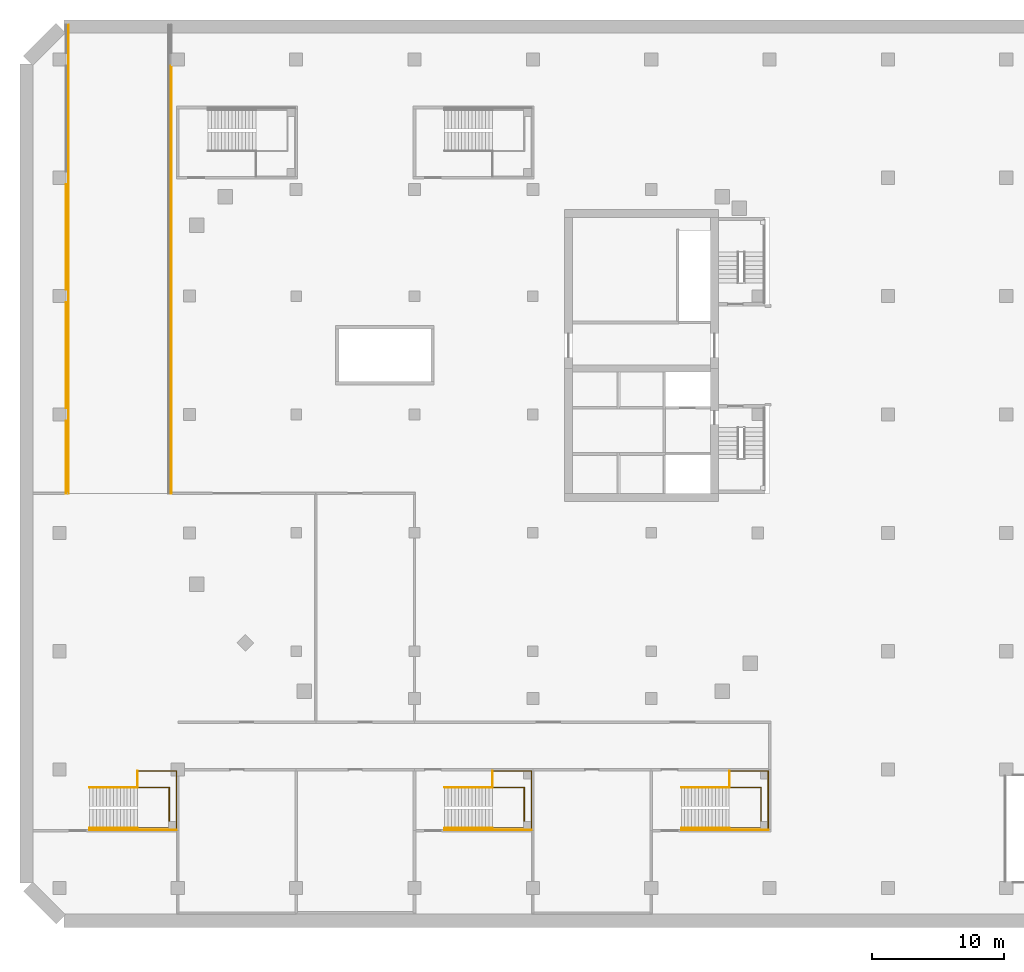
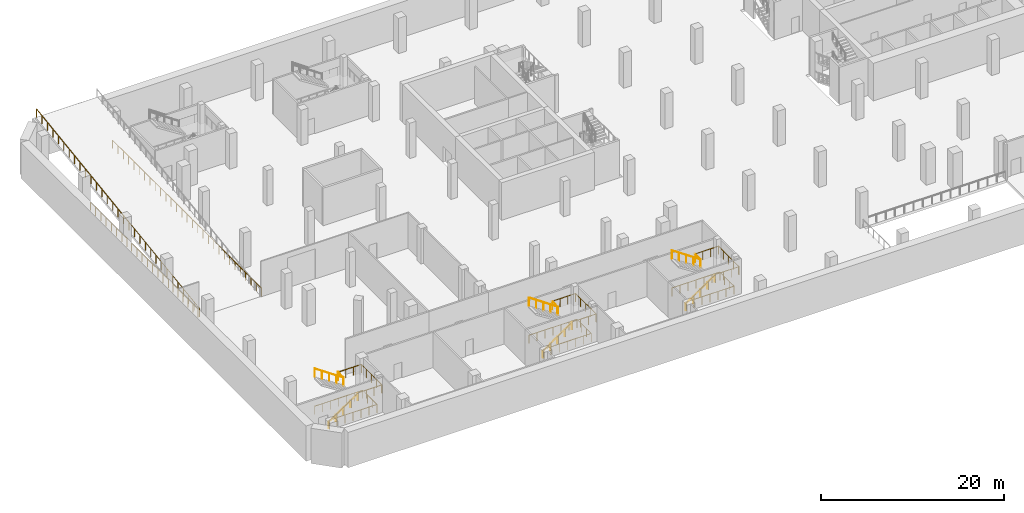
# One storey, part 13 of 19: 23 railings.
"""IFC4 building model written with IfcOpenShell, lengths in metres."""

from ifc_helpers import new_model, si_unit, direction, frame, origin, origin_2d, place, context, subcontext, project, spatial, circle, extrude, material, type_object, element, save


model = new_model("IFC4")

# Units and contexts
model_context = context("Model", 3, precision=1e-05, world=origin(), true_north=direction((0.0, 1.0)))
body_context = subcontext(model_context, "Body", "Model", "MODEL_VIEW")
ifc_project = project(units=[si_unit("LENGTHUNIT", "METRE"), si_unit("AREAUNIT", "SQUARE_METRE"), si_unit("VOLUMEUNIT", "CUBIC_METRE"), si_unit("PLANEANGLEUNIT", "RADIAN"), si_unit("MASSUNIT", "GRAM", prefix="KILO")], contexts=[model_context])

# Site, building, storey
site_placement = place(None, origin())
site = spatial("IfcSite", under=ifc_project, at=site_placement, CompositionType="ELEMENT")
building_placement = place(site_placement, origin())
building = spatial("IfcBuilding", under=site, at=building_placement, Name="Cinnabar Reach Civic Tower", CompositionType="ELEMENT")
storey_placement = place(building_placement, frame((0.0, 0.0, -5.0)))
storey = spatial("IfcBuildingStorey", under=building, at=storey_placement, Name="B1", CompositionType="ELEMENT", Elevation=-5.0)

# Railings
ifc_material_1 = material(Name="Stainless steel and glass", Category="steel")
railing_type_1 = type_object("IfcRailingType", Name="Podium guard 1100", PredefinedType="GUARDRAIL", material=ifc_material_1)
railing_1_placement = place(storey_placement, frame((-75.06, -1.35, 2.5)))
element("IfcRailing", 1, at=railing_1_placement, inside=storey, type_object=railing_type_1, Name="Stair guard PS1 B1", PredefinedType="GUARDRAIL", context=body_context, shape_type="SweptSolid", body=[
    extrude(circle(Radius=0.024, at=origin_2d()), frame((0.0, 0.0, 1.076), z_axis=(-0.824306135323, 0.0, 0.566144323711), x_axis=(0.0, -1.0, 0.0)), (0.0, 0.0, 1.0), 4.4158),
    extrude(circle(Radius=0.021, at=origin_2d()), origin(), (0.0, 0.0, 1.0), 1.052),
    extrude(circle(Radius=0.021, at=origin_2d()), frame((-0.91, 0.0, 0.625)), (0.0, 0.0, 1.0), 1.052),
    extrude(circle(Radius=0.021, at=origin_2d()), frame((-1.82, 0.0, 1.25)), (0.0, 0.0, 1.0), 1.052),
    extrude(circle(Radius=0.021, at=origin_2d()), frame((-2.73, 0.0, 1.875)), (0.0, 0.0, 1.0), 1.052),
    extrude(circle(Radius=0.021, at=origin_2d()), frame((-3.64, 0.0, 2.5)), (0.0, 0.0, 1.0), 1.052),
])
railing_2_placement = place(storey_placement, frame((-75.06, -0.1, 2.5)))
element("IfcRailing", 2, at=railing_2_placement, inside=storey, type_object=railing_type_1, Name="Landing guard PS1 B1", PredefinedType="GUARDRAIL", context=body_context, shape_type="SweptSolid", body=[
    extrude(circle(Radius=0.024, at=origin_2d()), frame((0.0, 0.0, 1.076), z_axis=(1.0, 0.0, 0.0), x_axis=(0.0, 1.0, 0.0)), (0.0, 0.0, 1.0), 2.96),
    extrude(circle(Radius=0.024, at=origin_2d()), frame((2.96, 0.0, 1.076), z_axis=(0.0, -1.0, 0.0), x_axis=(1.0, 0.0, 0.0)), (0.0, 0.0, 1.0), 4.4),
    extrude(circle(Radius=0.021, at=origin_2d()), origin(), (0.0, 0.0, 1.0), 1.052),
    extrude(circle(Radius=0.021, at=origin_2d()), frame((0.9867, 0.0, 0.0)), (0.0, 0.0, 1.0), 1.052),
    extrude(circle(Radius=0.021, at=origin_2d()), frame((1.9733, 0.0, 0.0)), (0.0, 0.0, 1.0), 1.052),
    extrude(circle(Radius=0.021, at=origin_2d()), frame((2.96, 0.0, 0.0)), (0.0, 0.0, 1.0), 1.052),
    extrude(circle(Radius=0.021, at=origin_2d()), frame((2.96, -1.1, 0.0)), (0.0, 0.0, 1.0), 1.052),
    extrude(circle(Radius=0.021, at=origin_2d()), frame((2.96, -2.2, 0.0)), (0.0, 0.0, 1.0), 1.052),
    extrude(circle(Radius=0.021, at=origin_2d()), frame((2.96, -3.3, 0.0)), (0.0, 0.0, 1.0), 1.052),
    extrude(circle(Radius=0.021, at=origin_2d()), frame((2.96, -4.4, 0.0)), (0.0, 0.0, 1.0), 1.052),
])
railing_3_placement = place(storey_placement, frame((-75.06, -1.3, 2.5)))
element("IfcRailing", 3, at=railing_3_placement, inside=storey, type_object=railing_type_1, Name="Landing guard PS1 B1 inner", PredefinedType="GUARDRAIL", context=body_context, shape_type="SweptSolid", body=[
    extrude(circle(Radius=0.024, at=origin_2d()), frame((0.0, 0.0, 1.076), z_axis=(0.0, 1.0, 0.0), x_axis=(-1.0, 0.0, 0.0)), (0.0, 0.0, 1.0), 1.2),
    extrude(circle(Radius=0.021, at=origin_2d()), origin(), (0.0, 0.0, 1.0), 1.052),
    extrude(circle(Radius=0.021, at=origin_2d()), frame((0.0, 1.2, 0.0)), (0.0, 0.0, 1.0), 1.052),
])
railing_4_placement = place(storey_placement, frame((-78.7, -4.6, 0.0)))
element("IfcRailing", 4, at=railing_4_placement, inside=storey, type_object=railing_type_1, Name="Stair wall side guard PS1 B1", PredefinedType="GUARDRAIL", context=body_context, shape_type="SweptSolid", body=[
    extrude(circle(Radius=0.024, at=origin_2d()), frame((0.0, 0.0, 1.076), z_axis=(0.824306135323, 0.0, 0.566144323711), x_axis=(0.0, 1.0, 0.0)), (0.0, 0.0, 1.0), 4.4158),
    extrude(circle(Radius=0.024, at=origin_2d()), frame((3.64, 0.0, 3.576), z_axis=(1.0, 0.0, 0.0), x_axis=(0.0, 1.0, 0.0)), (0.0, 0.0, 1.0), 2.96),
    extrude(circle(Radius=0.021, at=origin_2d()), origin(), (0.0, 0.0, 1.0), 1.052),
    extrude(circle(Radius=0.021, at=origin_2d()), frame((0.91, 0.0, 0.625)), (0.0, 0.0, 1.0), 1.052),
    extrude(circle(Radius=0.021, at=origin_2d()), frame((1.82, 0.0, 1.25)), (0.0, 0.0, 1.0), 1.052),
    extrude(circle(Radius=0.021, at=origin_2d()), frame((2.73, 0.0, 1.875)), (0.0, 0.0, 1.0), 1.052),
    extrude(circle(Radius=0.021, at=origin_2d()), frame((3.64, 0.0, 2.5)), (0.0, 0.0, 1.0), 1.052),
    extrude(circle(Radius=0.021, at=origin_2d()), frame((4.6267, 0.0, 2.5)), (0.0, 0.0, 1.0), 1.052),
    extrude(circle(Radius=0.021, at=origin_2d()), frame((5.6133, 0.0, 2.5)), (0.0, 0.0, 1.0), 1.052),
    extrude(circle(Radius=0.021, at=origin_2d()), frame((6.6, 0.0, 2.5)), (0.0, 0.0, 1.0), 1.052),
])
railing_5_placement = place(storey_placement, frame((-78.7, -4.45, 0.0)))
element("IfcRailing", 5, at=railing_5_placement, inside=storey, type_object=railing_type_1, Name="Stair well guard PS1 B1", PredefinedType="GUARDRAIL", context=body_context, shape_type="SweptSolid", body=[
    extrude(circle(Radius=0.024, at=origin_2d()), frame((0.0, 0.0, 1.076), z_axis=(1.0, 0.0, 0.0), x_axis=(0.0, 1.0, 0.0)), (0.0, 0.0, 1.0), 6.05),
    extrude(circle(Radius=0.024, at=origin_2d()), frame((6.05, 0.0, 1.076), z_axis=(0.0, 1.0, 0.0), x_axis=(-1.0, 0.0, 0.0)), (0.0, 0.0, 1.0), 3.1),
    extrude(circle(Radius=0.024, at=origin_2d()), frame((6.05, 3.1, 1.076), z_axis=(-1.0, 0.0, 0.0), x_axis=(0.0, -1.0, 0.0)), (0.0, 0.0, 1.0), 6.05),
    extrude(circle(Radius=0.021, at=origin_2d()), origin(), (0.0, 0.0, 1.0), 1.052),
    extrude(circle(Radius=0.021, at=origin_2d()), frame((1.0083, 0.0, 0.0)), (0.0, 0.0, 1.0), 1.052),
    extrude(circle(Radius=0.021, at=origin_2d()), frame((2.0167, 0.0, 0.0)), (0.0, 0.0, 1.0), 1.052),
    extrude(circle(Radius=0.021, at=origin_2d()), frame((3.025, 0.0, 0.0)), (0.0, 0.0, 1.0), 1.052),
    extrude(circle(Radius=0.021, at=origin_2d()), frame((4.0333, 0.0, 0.0)), (0.0, 0.0, 1.0), 1.052),
    extrude(circle(Radius=0.021, at=origin_2d()), frame((5.0417, 0.0, 0.0)), (0.0, 0.0, 1.0), 1.052),
    extrude(circle(Radius=0.021, at=origin_2d()), frame((6.05, 0.0, 0.0)), (0.0, 0.0, 1.0), 1.052),
    extrude(circle(Radius=0.021, at=origin_2d()), frame((6.05, 1.0333, 0.0)), (0.0, 0.0, 1.0), 1.052),
    extrude(circle(Radius=0.021, at=origin_2d()), frame((6.05, 2.0667, 0.0)), (0.0, 0.0, 1.0), 1.052),
    extrude(circle(Radius=0.021, at=origin_2d()), frame((6.05, 3.1, 0.0)), (0.0, 0.0, 1.0), 1.052),
    extrude(circle(Radius=0.021, at=origin_2d()), frame((5.0417, 3.1, 0.0)), (0.0, 0.0, 1.0), 1.052),
    extrude(circle(Radius=0.021, at=origin_2d()), frame((4.0333, 3.1, 0.0)), (0.0, 0.0, 1.0), 1.052),
    extrude(circle(Radius=0.021, at=origin_2d()), frame((3.025, 3.1, 0.0)), (0.0, 0.0, 1.0), 1.052),
    extrude(circle(Radius=0.021, at=origin_2d()), frame((2.0167, 3.1, 0.0)), (0.0, 0.0, 1.0), 1.052),
    extrude(circle(Radius=0.021, at=origin_2d()), frame((1.0083, 3.1, 0.0)), (0.0, 0.0, 1.0), 1.052),
    extrude(circle(Radius=0.021, at=origin_2d()), frame((0.0, 3.1, 0.0)), (0.0, 0.0, 1.0), 1.052),
])
railing_6_placement = place(storey_placement, frame((-48.06, -1.35, 2.5)))
element("IfcRailing", 6, at=railing_6_placement, inside=storey, type_object=railing_type_1, Name="Stair guard PS8 B1", PredefinedType="GUARDRAIL", context=body_context, shape_type="SweptSolid", body=[
    extrude(circle(Radius=0.024, at=origin_2d()), frame((0.0, 0.0, 1.076), z_axis=(-0.824306135323, 0.0, 0.566144323711), x_axis=(0.0, -1.0, 0.0)), (0.0, 0.0, 1.0), 4.4158),
    extrude(circle(Radius=0.021, at=origin_2d()), origin(), (0.0, 0.0, 1.0), 1.052),
    extrude(circle(Radius=0.021, at=origin_2d()), frame((-0.91, 0.0, 0.625)), (0.0, 0.0, 1.0), 1.052),
    extrude(circle(Radius=0.021, at=origin_2d()), frame((-1.82, 0.0, 1.25)), (0.0, 0.0, 1.0), 1.052),
    extrude(circle(Radius=0.021, at=origin_2d()), frame((-2.73, 0.0, 1.875)), (0.0, 0.0, 1.0), 1.052),
    extrude(circle(Radius=0.021, at=origin_2d()), frame((-3.64, 0.0, 2.5)), (0.0, 0.0, 1.0), 1.052),
])
railing_7_placement = place(storey_placement, frame((-48.06, -0.1, 2.5)))
element("IfcRailing", 7, at=railing_7_placement, inside=storey, type_object=railing_type_1, Name="Landing guard PS8 B1", PredefinedType="GUARDRAIL", context=body_context, shape_type="SweptSolid", body=[
    extrude(circle(Radius=0.024, at=origin_2d()), frame((0.0, 0.0, 1.076), z_axis=(1.0, 0.0, 0.0), x_axis=(0.0, 1.0, 0.0)), (0.0, 0.0, 1.0), 2.96),
    extrude(circle(Radius=0.024, at=origin_2d()), frame((2.96, 0.0, 1.076), z_axis=(0.0, -1.0, 0.0), x_axis=(1.0, 0.0, 0.0)), (0.0, 0.0, 1.0), 4.4),
    extrude(circle(Radius=0.021, at=origin_2d()), origin(), (0.0, 0.0, 1.0), 1.052),
    extrude(circle(Radius=0.021, at=origin_2d()), frame((0.9867, 0.0, 0.0)), (0.0, 0.0, 1.0), 1.052),
    extrude(circle(Radius=0.021, at=origin_2d()), frame((1.9733, 0.0, 0.0)), (0.0, 0.0, 1.0), 1.052),
    extrude(circle(Radius=0.021, at=origin_2d()), frame((2.96, 0.0, 0.0)), (0.0, 0.0, 1.0), 1.052),
    extrude(circle(Radius=0.021, at=origin_2d()), frame((2.96, -1.1, 0.0)), (0.0, 0.0, 1.0), 1.052),
    extrude(circle(Radius=0.021, at=origin_2d()), frame((2.96, -2.2, 0.0)), (0.0, 0.0, 1.0), 1.052),
    extrude(circle(Radius=0.021, at=origin_2d()), frame((2.96, -3.3, 0.0)), (0.0, 0.0, 1.0), 1.052),
    extrude(circle(Radius=0.021, at=origin_2d()), frame((2.96, -4.4, 0.0)), (0.0, 0.0, 1.0), 1.052),
])
railing_8_placement = place(storey_placement, frame((-48.06, -1.3, 2.5)))
element("IfcRailing", 8, at=railing_8_placement, inside=storey, type_object=railing_type_1, Name="Landing guard PS8 B1 inner", PredefinedType="GUARDRAIL", context=body_context, shape_type="SweptSolid", body=[
    extrude(circle(Radius=0.024, at=origin_2d()), frame((0.0, 0.0, 1.076), z_axis=(0.0, 1.0, 0.0), x_axis=(-1.0, 0.0, 0.0)), (0.0, 0.0, 1.0), 1.2),
    extrude(circle(Radius=0.021, at=origin_2d()), origin(), (0.0, 0.0, 1.0), 1.052),
    extrude(circle(Radius=0.021, at=origin_2d()), frame((0.0, 1.2, 0.0)), (0.0, 0.0, 1.0), 1.052),
])
railing_9_placement = place(storey_placement, frame((-51.7, -4.6, 0.0)))
element("IfcRailing", 9, at=railing_9_placement, inside=storey, type_object=railing_type_1, Name="Stair wall side guard PS8 B1", PredefinedType="GUARDRAIL", context=body_context, shape_type="SweptSolid", body=[
    extrude(circle(Radius=0.024, at=origin_2d()), frame((0.0, 0.0, 1.076), z_axis=(0.824306135323, 0.0, 0.566144323711), x_axis=(0.0, 1.0, 0.0)), (0.0, 0.0, 1.0), 4.4158),
    extrude(circle(Radius=0.024, at=origin_2d()), frame((3.64, 0.0, 3.576), z_axis=(1.0, 0.0, 0.0), x_axis=(0.0, 1.0, 0.0)), (0.0, 0.0, 1.0), 2.96),
    extrude(circle(Radius=0.021, at=origin_2d()), origin(), (0.0, 0.0, 1.0), 1.052),
    extrude(circle(Radius=0.021, at=origin_2d()), frame((0.91, 0.0, 0.625)), (0.0, 0.0, 1.0), 1.052),
    extrude(circle(Radius=0.021, at=origin_2d()), frame((1.82, 0.0, 1.25)), (0.0, 0.0, 1.0), 1.052),
    extrude(circle(Radius=0.021, at=origin_2d()), frame((2.73, 0.0, 1.875)), (0.0, 0.0, 1.0), 1.052),
    extrude(circle(Radius=0.021, at=origin_2d()), frame((3.64, 0.0, 2.5)), (0.0, 0.0, 1.0), 1.052),
    extrude(circle(Radius=0.021, at=origin_2d()), frame((4.6267, 0.0, 2.5)), (0.0, 0.0, 1.0), 1.052),
    extrude(circle(Radius=0.021, at=origin_2d()), frame((5.6133, 0.0, 2.5)), (0.0, 0.0, 1.0), 1.052),
    extrude(circle(Radius=0.021, at=origin_2d()), frame((6.6, 0.0, 2.5)), (0.0, 0.0, 1.0), 1.052),
])
railing_10_placement = place(storey_placement, frame((-51.7, -4.45, 0.0)))
element("IfcRailing", 10, at=railing_10_placement, inside=storey, type_object=railing_type_1, Name="Stair well guard PS8 B1", PredefinedType="GUARDRAIL", context=body_context, shape_type="SweptSolid", body=[
    extrude(circle(Radius=0.024, at=origin_2d()), frame((0.0, 0.0, 1.076), z_axis=(1.0, 0.0, 0.0), x_axis=(0.0, 1.0, 0.0)), (0.0, 0.0, 1.0), 6.05),
    extrude(circle(Radius=0.024, at=origin_2d()), frame((6.05, 0.0, 1.076), z_axis=(0.0, 1.0, 0.0), x_axis=(-1.0, 0.0, 0.0)), (0.0, 0.0, 1.0), 3.1),
    extrude(circle(Radius=0.024, at=origin_2d()), frame((6.05, 3.1, 1.076), z_axis=(-1.0, 0.0, 0.0), x_axis=(0.0, -1.0, 0.0)), (0.0, 0.0, 1.0), 6.05),
    extrude(circle(Radius=0.021, at=origin_2d()), origin(), (0.0, 0.0, 1.0), 1.052),
    extrude(circle(Radius=0.021, at=origin_2d()), frame((1.0083, 0.0, 0.0)), (0.0, 0.0, 1.0), 1.052),
    extrude(circle(Radius=0.021, at=origin_2d()), frame((2.0167, 0.0, 0.0)), (0.0, 0.0, 1.0), 1.052),
    extrude(circle(Radius=0.021, at=origin_2d()), frame((3.025, 0.0, 0.0)), (0.0, 0.0, 1.0), 1.052),
    extrude(circle(Radius=0.021, at=origin_2d()), frame((4.0333, 0.0, 0.0)), (0.0, 0.0, 1.0), 1.052),
    extrude(circle(Radius=0.021, at=origin_2d()), frame((5.0417, 0.0, 0.0)), (0.0, 0.0, 1.0), 1.052),
    extrude(circle(Radius=0.021, at=origin_2d()), frame((6.05, 0.0, 0.0)), (0.0, 0.0, 1.0), 1.052),
    extrude(circle(Radius=0.021, at=origin_2d()), frame((6.05, 1.0333, 0.0)), (0.0, 0.0, 1.0), 1.052),
    extrude(circle(Radius=0.021, at=origin_2d()), frame((6.05, 2.0667, 0.0)), (0.0, 0.0, 1.0), 1.052),
    extrude(circle(Radius=0.021, at=origin_2d()), frame((6.05, 3.1, 0.0)), (0.0, 0.0, 1.0), 1.052),
    extrude(circle(Radius=0.021, at=origin_2d()), frame((5.0417, 3.1, 0.0)), (0.0, 0.0, 1.0), 1.052),
    extrude(circle(Radius=0.021, at=origin_2d()), frame((4.0333, 3.1, 0.0)), (0.0, 0.0, 1.0), 1.052),
    extrude(circle(Radius=0.021, at=origin_2d()), frame((3.025, 3.1, 0.0)), (0.0, 0.0, 1.0), 1.052),
    extrude(circle(Radius=0.021, at=origin_2d()), frame((2.0167, 3.1, 0.0)), (0.0, 0.0, 1.0), 1.052),
    extrude(circle(Radius=0.021, at=origin_2d()), frame((1.0083, 3.1, 0.0)), (0.0, 0.0, 1.0), 1.052),
    extrude(circle(Radius=0.021, at=origin_2d()), frame((0.0, 3.1, 0.0)), (0.0, 0.0, 1.0), 1.052),
])
railing_11_placement = place(storey_placement, frame((-30.06, -1.35, 2.5)))
element("IfcRailing", 11, at=railing_11_placement, inside=storey, type_object=railing_type_1, Name="Stair guard PS9 B1", PredefinedType="GUARDRAIL", context=body_context, shape_type="SweptSolid", body=[
    extrude(circle(Radius=0.024, at=origin_2d()), frame((0.0, 0.0, 1.076), z_axis=(-0.824306135323, 0.0, 0.566144323711), x_axis=(0.0, -1.0, 0.0)), (0.0, 0.0, 1.0), 4.4158),
    extrude(circle(Radius=0.021, at=origin_2d()), origin(), (0.0, 0.0, 1.0), 1.052),
    extrude(circle(Radius=0.021, at=origin_2d()), frame((-0.91, 0.0, 0.625)), (0.0, 0.0, 1.0), 1.052),
    extrude(circle(Radius=0.021, at=origin_2d()), frame((-1.82, 0.0, 1.25)), (0.0, 0.0, 1.0), 1.052),
    extrude(circle(Radius=0.021, at=origin_2d()), frame((-2.73, 0.0, 1.875)), (0.0, 0.0, 1.0), 1.052),
    extrude(circle(Radius=0.021, at=origin_2d()), frame((-3.64, 0.0, 2.5)), (0.0, 0.0, 1.0), 1.052),
])
railing_12_placement = place(storey_placement, frame((-30.06, -0.1, 2.5)))
element("IfcRailing", 12, at=railing_12_placement, inside=storey, type_object=railing_type_1, Name="Landing guard PS9 B1", PredefinedType="GUARDRAIL", context=body_context, shape_type="SweptSolid", body=[
    extrude(circle(Radius=0.024, at=origin_2d()), frame((0.0, 0.0, 1.076), z_axis=(1.0, 0.0, 0.0), x_axis=(0.0, 1.0, 0.0)), (0.0, 0.0, 1.0), 2.96),
    extrude(circle(Radius=0.024, at=origin_2d()), frame((2.96, 0.0, 1.076), z_axis=(0.0, -1.0, 0.0), x_axis=(1.0, 0.0, 0.0)), (0.0, 0.0, 1.0), 4.4),
    extrude(circle(Radius=0.021, at=origin_2d()), origin(), (0.0, 0.0, 1.0), 1.052),
    extrude(circle(Radius=0.021, at=origin_2d()), frame((0.9867, 0.0, 0.0)), (0.0, 0.0, 1.0), 1.052),
    extrude(circle(Radius=0.021, at=origin_2d()), frame((1.9733, 0.0, 0.0)), (0.0, 0.0, 1.0), 1.052),
    extrude(circle(Radius=0.021, at=origin_2d()), frame((2.96, 0.0, 0.0)), (0.0, 0.0, 1.0), 1.052),
    extrude(circle(Radius=0.021, at=origin_2d()), frame((2.96, -1.1, 0.0)), (0.0, 0.0, 1.0), 1.052),
    extrude(circle(Radius=0.021, at=origin_2d()), frame((2.96, -2.2, 0.0)), (0.0, 0.0, 1.0), 1.052),
    extrude(circle(Radius=0.021, at=origin_2d()), frame((2.96, -3.3, 0.0)), (0.0, 0.0, 1.0), 1.052),
    extrude(circle(Radius=0.021, at=origin_2d()), frame((2.96, -4.4, 0.0)), (0.0, 0.0, 1.0), 1.052),
])
railing_13_placement = place(storey_placement, frame((-30.06, -1.3, 2.5)))
element("IfcRailing", 13, at=railing_13_placement, inside=storey, type_object=railing_type_1, Name="Landing guard PS9 B1 inner", PredefinedType="GUARDRAIL", context=body_context, shape_type="SweptSolid", body=[
    extrude(circle(Radius=0.024, at=origin_2d()), frame((0.0, 0.0, 1.076), z_axis=(0.0, 1.0, 0.0), x_axis=(-1.0, 0.0, 0.0)), (0.0, 0.0, 1.0), 1.2),
    extrude(circle(Radius=0.021, at=origin_2d()), origin(), (0.0, 0.0, 1.0), 1.052),
    extrude(circle(Radius=0.021, at=origin_2d()), frame((0.0, 1.2, 0.0)), (0.0, 0.0, 1.0), 1.052),
])
railing_14_placement = place(storey_placement, frame((-33.7, -4.6, 0.0)))
element("IfcRailing", 14, at=railing_14_placement, inside=storey, type_object=railing_type_1, Name="Stair wall side guard PS9 B1", PredefinedType="GUARDRAIL", context=body_context, shape_type="SweptSolid", body=[
    extrude(circle(Radius=0.024, at=origin_2d()), frame((0.0, 0.0, 1.076), z_axis=(0.824306135323, 0.0, 0.566144323711), x_axis=(0.0, 1.0, 0.0)), (0.0, 0.0, 1.0), 4.4158),
    extrude(circle(Radius=0.024, at=origin_2d()), frame((3.64, 0.0, 3.576), z_axis=(1.0, 0.0, 0.0), x_axis=(0.0, 1.0, 0.0)), (0.0, 0.0, 1.0), 2.96),
    extrude(circle(Radius=0.021, at=origin_2d()), origin(), (0.0, 0.0, 1.0), 1.052),
    extrude(circle(Radius=0.021, at=origin_2d()), frame((0.91, 0.0, 0.625)), (0.0, 0.0, 1.0), 1.052),
    extrude(circle(Radius=0.021, at=origin_2d()), frame((1.82, 0.0, 1.25)), (0.0, 0.0, 1.0), 1.052),
    extrude(circle(Radius=0.021, at=origin_2d()), frame((2.73, 0.0, 1.875)), (0.0, 0.0, 1.0), 1.052),
    extrude(circle(Radius=0.021, at=origin_2d()), frame((3.64, 0.0, 2.5)), (0.0, 0.0, 1.0), 1.052),
    extrude(circle(Radius=0.021, at=origin_2d()), frame((4.6267, 0.0, 2.5)), (0.0, 0.0, 1.0), 1.052),
    extrude(circle(Radius=0.021, at=origin_2d()), frame((5.6133, 0.0, 2.5)), (0.0, 0.0, 1.0), 1.052),
    extrude(circle(Radius=0.021, at=origin_2d()), frame((6.6, 0.0, 2.5)), (0.0, 0.0, 1.0), 1.052),
])
railing_15_placement = place(storey_placement, frame((-33.7, -4.45, 0.0)))
element("IfcRailing", 15, at=railing_15_placement, inside=storey, type_object=railing_type_1, Name="Stair well guard PS9 B1", PredefinedType="GUARDRAIL", context=body_context, shape_type="SweptSolid", body=[
    extrude(circle(Radius=0.024, at=origin_2d()), frame((0.0, 0.0, 1.076), z_axis=(1.0, 0.0, 0.0), x_axis=(0.0, 1.0, 0.0)), (0.0, 0.0, 1.0), 6.05),
    extrude(circle(Radius=0.024, at=origin_2d()), frame((6.05, 0.0, 1.076), z_axis=(0.0, 1.0, 0.0), x_axis=(-1.0, 0.0, 0.0)), (0.0, 0.0, 1.0), 3.1),
    extrude(circle(Radius=0.024, at=origin_2d()), frame((6.05, 3.1, 1.076), z_axis=(-1.0, 0.0, 0.0), x_axis=(0.0, -1.0, 0.0)), (0.0, 0.0, 1.0), 6.05),
    extrude(circle(Radius=0.021, at=origin_2d()), origin(), (0.0, 0.0, 1.0), 1.052),
    extrude(circle(Radius=0.021, at=origin_2d()), frame((1.0083, 0.0, 0.0)), (0.0, 0.0, 1.0), 1.052),
    extrude(circle(Radius=0.021, at=origin_2d()), frame((2.0167, 0.0, 0.0)), (0.0, 0.0, 1.0), 1.052),
    extrude(circle(Radius=0.021, at=origin_2d()), frame((3.025, 0.0, 0.0)), (0.0, 0.0, 1.0), 1.052),
    extrude(circle(Radius=0.021, at=origin_2d()), frame((4.0333, 0.0, 0.0)), (0.0, 0.0, 1.0), 1.052),
    extrude(circle(Radius=0.021, at=origin_2d()), frame((5.0417, 0.0, 0.0)), (0.0, 0.0, 1.0), 1.052),
    extrude(circle(Radius=0.021, at=origin_2d()), frame((6.05, 0.0, 0.0)), (0.0, 0.0, 1.0), 1.052),
    extrude(circle(Radius=0.021, at=origin_2d()), frame((6.05, 1.0333, 0.0)), (0.0, 0.0, 1.0), 1.052),
    extrude(circle(Radius=0.021, at=origin_2d()), frame((6.05, 2.0667, 0.0)), (0.0, 0.0, 1.0), 1.052),
    extrude(circle(Radius=0.021, at=origin_2d()), frame((6.05, 3.1, 0.0)), (0.0, 0.0, 1.0), 1.052),
    extrude(circle(Radius=0.021, at=origin_2d()), frame((5.0417, 3.1, 0.0)), (0.0, 0.0, 1.0), 1.052),
    extrude(circle(Radius=0.021, at=origin_2d()), frame((4.0333, 3.1, 0.0)), (0.0, 0.0, 1.0), 1.052),
    extrude(circle(Radius=0.021, at=origin_2d()), frame((3.025, 3.1, 0.0)), (0.0, 0.0, 1.0), 1.052),
    extrude(circle(Radius=0.021, at=origin_2d()), frame((2.0167, 3.1, 0.0)), (0.0, 0.0, 1.0), 1.052),
    extrude(circle(Radius=0.021, at=origin_2d()), frame((1.0083, 3.1, 0.0)), (0.0, 0.0, 1.0), 1.052),
    extrude(circle(Radius=0.021, at=origin_2d()), frame((0.0, 3.1, 0.0)), (0.0, 0.0, 1.0), 1.052),
])
railing_16_placement = place(storey_placement, frame((-80.3, 21.0, 0.0)))
element("IfcRailing", 16, at=railing_16_placement, inside=storey, type_object=railing_type_1, Name="Ramp guard R3-a", PredefinedType="GUARDRAIL", context=body_context, shape_type="SweptSolid", body=[
    extrude(circle(Radius=0.024, at=origin_2d()), frame((0.0, 0.0, 1.076), z_axis=(0.0, 0.990280538481, 0.139084345292), x_axis=(-1.0, 0.0, 0.0)), (0.0, 0.0, 1.0), 35.9494),
    extrude(circle(Radius=0.021, at=origin_2d()), origin(), (0.0, 0.0, 1.0), 1.052),
    extrude(circle(Radius=0.021, at=origin_2d()), frame((0.0, 1.1867, 0.1667)), (0.0, 0.0, 1.0), 1.052),
    extrude(circle(Radius=0.021, at=origin_2d()), frame((0.0, 2.3733, 0.3333)), (0.0, 0.0, 1.0), 1.052),
    extrude(circle(Radius=0.021, at=origin_2d()), frame((0.0, 3.56, 0.5)), (0.0, 0.0, 1.0), 1.052),
    extrude(circle(Radius=0.021, at=origin_2d()), frame((0.0, 4.7467, 0.6667)), (0.0, 0.0, 1.0), 1.052),
    extrude(circle(Radius=0.021, at=origin_2d()), frame((0.0, 5.9333, 0.8333)), (0.0, 0.0, 1.0), 1.052),
    extrude(circle(Radius=0.021, at=origin_2d()), frame((0.0, 7.12, 1.0)), (0.0, 0.0, 1.0), 1.052),
    extrude(circle(Radius=0.021, at=origin_2d()), frame((0.0, 8.3067, 1.1667)), (0.0, 0.0, 1.0), 1.052),
    extrude(circle(Radius=0.021, at=origin_2d()), frame((0.0, 9.4933, 1.3333)), (0.0, 0.0, 1.0), 1.052),
    extrude(circle(Radius=0.021, at=origin_2d()), frame((0.0, 10.68, 1.5)), (0.0, 0.0, 1.0), 1.052),
    extrude(circle(Radius=0.021, at=origin_2d()), frame((0.0, 11.8667, 1.6667)), (0.0, 0.0, 1.0), 1.052),
    extrude(circle(Radius=0.021, at=origin_2d()), frame((0.0, 13.0533, 1.8333)), (0.0, 0.0, 1.0), 1.052),
    extrude(circle(Radius=0.021, at=origin_2d()), frame((0.0, 14.24, 2.0)), (0.0, 0.0, 1.0), 1.052),
    extrude(circle(Radius=0.021, at=origin_2d()), frame((0.0, 15.4267, 2.1667)), (0.0, 0.0, 1.0), 1.052),
    extrude(circle(Radius=0.021, at=origin_2d()), frame((0.0, 16.6133, 2.3333)), (0.0, 0.0, 1.0), 1.052),
    extrude(circle(Radius=0.021, at=origin_2d()), frame((0.0, 17.8, 2.5)), (0.0, 0.0, 1.0), 1.052),
    extrude(circle(Radius=0.021, at=origin_2d()), frame((0.0, 18.9867, 2.6667)), (0.0, 0.0, 1.0), 1.052),
    extrude(circle(Radius=0.021, at=origin_2d()), frame((0.0, 20.1733, 2.8333)), (0.0, 0.0, 1.0), 1.052),
    extrude(circle(Radius=0.021, at=origin_2d()), frame((0.0, 21.36, 3.0)), (0.0, 0.0, 1.0), 1.052),
    extrude(circle(Radius=0.021, at=origin_2d()), frame((0.0, 22.5467, 3.1667)), (0.0, 0.0, 1.0), 1.052),
    extrude(circle(Radius=0.021, at=origin_2d()), frame((0.0, 23.7333, 3.3333)), (0.0, 0.0, 1.0), 1.052),
    extrude(circle(Radius=0.021, at=origin_2d()), frame((0.0, 24.92, 3.5)), (0.0, 0.0, 1.0), 1.052),
    extrude(circle(Radius=0.021, at=origin_2d()), frame((0.0, 26.1067, 3.6667)), (0.0, 0.0, 1.0), 1.052),
    extrude(circle(Radius=0.021, at=origin_2d()), frame((0.0, 27.2933, 3.8333)), (0.0, 0.0, 1.0), 1.052),
    extrude(circle(Radius=0.021, at=origin_2d()), frame((0.0, 28.48, 4.0)), (0.0, 0.0, 1.0), 1.052),
    extrude(circle(Radius=0.021, at=origin_2d()), frame((0.0, 29.6667, 4.1667)), (0.0, 0.0, 1.0), 1.052),
    extrude(circle(Radius=0.021, at=origin_2d()), frame((0.0, 30.8533, 4.3333)), (0.0, 0.0, 1.0), 1.052),
    extrude(circle(Radius=0.021, at=origin_2d()), frame((0.0, 32.04, 4.5)), (0.0, 0.0, 1.0), 1.052),
    extrude(circle(Radius=0.021, at=origin_2d()), frame((0.0, 33.2267, 4.6667)), (0.0, 0.0, 1.0), 1.052),
    extrude(circle(Radius=0.021, at=origin_2d()), frame((0.0, 34.4133, 4.8333)), (0.0, 0.0, 1.0), 1.052),
    extrude(circle(Radius=0.021, at=origin_2d()), frame((0.0, 35.6, 5.0)), (0.0, 0.0, 1.0), 1.052),
])
railing_17_placement = place(storey_placement, frame((-80.5, 21.0, 0.0)))
element("IfcRailing", 17, at=railing_17_placement, inside=storey, type_object=railing_type_1, Name="Opening guard B1 rh1-w", PredefinedType="GUARDRAIL", context=body_context, shape_type="SweptSolid", body=[
    extrude(circle(Radius=0.024, at=origin_2d()), frame((0.0, 0.0, 1.076), z_axis=(0.0, 1.0, 0.0), x_axis=(-1.0, 0.0, 0.0)), (0.0, 0.0, 1.0), 5.5),
    extrude(circle(Radius=0.021, at=origin_2d()), origin(), (0.0, 0.0, 1.0), 1.052),
    extrude(circle(Radius=0.021, at=origin_2d()), frame((0.0, 1.1, 0.0)), (0.0, 0.0, 1.0), 1.052),
    extrude(circle(Radius=0.021, at=origin_2d()), frame((0.0, 2.2, 0.0)), (0.0, 0.0, 1.0), 1.052),
    extrude(circle(Radius=0.021, at=origin_2d()), frame((0.0, 3.3, 0.0)), (0.0, 0.0, 1.0), 1.052),
    extrude(circle(Radius=0.021, at=origin_2d()), frame((0.0, 4.4, 0.0)), (0.0, 0.0, 1.0), 1.052),
    extrude(circle(Radius=0.021, at=origin_2d()), frame((0.0, 5.5, 0.0)), (0.0, 0.0, 1.0), 1.052),
])
for number, where, name in (
    (18, (-80.5, 27.5, 0.0), "Opening guard B1 rh1-w"),
    (19, (-80.5, 36.5, 0.0), "Opening guard B1 rh1-w"),
):
    element("IfcRailing", number, at=place(storey_placement, frame(where)), inside=storey, type_object=railing_type_1, Name=name, PredefinedType="GUARDRAIL", context=body_context, shape_type="SweptSolid", body=[
        extrude(circle(Radius=0.024, at=origin_2d()), frame((0.0, 0.0, 1.076), z_axis=(0.0, 1.0, 0.0), x_axis=(-1.0, 0.0, 0.0)), (0.0, 0.0, 1.0), 8.0),
        extrude(circle(Radius=0.021, at=origin_2d()), origin(), (0.0, 0.0, 1.0), 1.052),
        extrude(circle(Radius=0.021, at=origin_2d()), frame((0.0, 1.1429, 0.0)), (0.0, 0.0, 1.0), 1.052),
        extrude(circle(Radius=0.021, at=origin_2d()), frame((0.0, 2.2857, 0.0)), (0.0, 0.0, 1.0), 1.052),
        extrude(circle(Radius=0.021, at=origin_2d()), frame((0.0, 3.4286, 0.0)), (0.0, 0.0, 1.0), 1.052),
        extrude(circle(Radius=0.021, at=origin_2d()), frame((0.0, 4.5714, 0.0)), (0.0, 0.0, 1.0), 1.052),
        extrude(circle(Radius=0.021, at=origin_2d()), frame((0.0, 5.7143, 0.0)), (0.0, 0.0, 1.0), 1.052),
        extrude(circle(Radius=0.021, at=origin_2d()), frame((0.0, 6.8571, 0.0)), (0.0, 0.0, 1.0), 1.052),
        extrude(circle(Radius=0.021, at=origin_2d()), frame((0.0, 8.0, 0.0)), (0.0, 0.0, 1.0), 1.052),
    ])
railing_18_placement = place(storey_placement, frame((-72.5, 21.0, 0.0)))
element("IfcRailing", 20, at=railing_18_placement, inside=storey, type_object=railing_type_1, Name="Opening guard B1 rh1-e", PredefinedType="GUARDRAIL", context=body_context, shape_type="SweptSolid", body=[
    extrude(circle(Radius=0.024, at=origin_2d()), frame((0.0, 0.0, 1.076), z_axis=(0.0, 1.0, 0.0), x_axis=(-1.0, 0.0, 0.0)), (0.0, 0.0, 1.0), 32.5),
    extrude(circle(Radius=0.021, at=origin_2d()), origin(), (0.0, 0.0, 1.0), 1.052),
    extrude(circle(Radius=0.021, at=origin_2d()), frame((0.0, 1.1607, 0.0)), (0.0, 0.0, 1.0), 1.052),
    extrude(circle(Radius=0.021, at=origin_2d()), frame((0.0, 2.3214, 0.0)), (0.0, 0.0, 1.0), 1.052),
    extrude(circle(Radius=0.021, at=origin_2d()), frame((0.0, 3.4821, 0.0)), (0.0, 0.0, 1.0), 1.052),
    extrude(circle(Radius=0.021, at=origin_2d()), frame((0.0, 4.6429, 0.0)), (0.0, 0.0, 1.0), 1.052),
    extrude(circle(Radius=0.021, at=origin_2d()), frame((0.0, 5.8036, 0.0)), (0.0, 0.0, 1.0), 1.052),
    extrude(circle(Radius=0.021, at=origin_2d()), frame((0.0, 6.9643, 0.0)), (0.0, 0.0, 1.0), 1.052),
    extrude(circle(Radius=0.021, at=origin_2d()), frame((0.0, 8.125, 0.0)), (0.0, 0.0, 1.0), 1.052),
    extrude(circle(Radius=0.021, at=origin_2d()), frame((0.0, 9.2857, 0.0)), (0.0, 0.0, 1.0), 1.052),
    extrude(circle(Radius=0.021, at=origin_2d()), frame((0.0, 10.4464, 0.0)), (0.0, 0.0, 1.0), 1.052),
    extrude(circle(Radius=0.021, at=origin_2d()), frame((0.0, 11.6071, 0.0)), (0.0, 0.0, 1.0), 1.052),
    extrude(circle(Radius=0.021, at=origin_2d()), frame((0.0, 12.7679, 0.0)), (0.0, 0.0, 1.0), 1.052),
    extrude(circle(Radius=0.021, at=origin_2d()), frame((0.0, 13.9286, 0.0)), (0.0, 0.0, 1.0), 1.052),
    extrude(circle(Radius=0.021, at=origin_2d()), frame((0.0, 15.0893, 0.0)), (0.0, 0.0, 1.0), 1.052),
    extrude(circle(Radius=0.021, at=origin_2d()), frame((0.0, 16.25, 0.0)), (0.0, 0.0, 1.0), 1.052),
    extrude(circle(Radius=0.021, at=origin_2d()), frame((0.0, 17.4107, 0.0)), (0.0, 0.0, 1.0), 1.052),
    extrude(circle(Radius=0.021, at=origin_2d()), frame((0.0, 18.5714, 0.0)), (0.0, 0.0, 1.0), 1.052),
    extrude(circle(Radius=0.021, at=origin_2d()), frame((0.0, 19.7321, 0.0)), (0.0, 0.0, 1.0), 1.052),
    extrude(circle(Radius=0.021, at=origin_2d()), frame((0.0, 20.8929, 0.0)), (0.0, 0.0, 1.0), 1.052),
    extrude(circle(Radius=0.021, at=origin_2d()), frame((0.0, 22.0536, 0.0)), (0.0, 0.0, 1.0), 1.052),
    extrude(circle(Radius=0.021, at=origin_2d()), frame((0.0, 23.2143, 0.0)), (0.0, 0.0, 1.0), 1.052),
    extrude(circle(Radius=0.021, at=origin_2d()), frame((0.0, 24.375, 0.0)), (0.0, 0.0, 1.0), 1.052),
    extrude(circle(Radius=0.021, at=origin_2d()), frame((0.0, 25.5357, 0.0)), (0.0, 0.0, 1.0), 1.052),
    extrude(circle(Radius=0.021, at=origin_2d()), frame((0.0, 26.6964, 0.0)), (0.0, 0.0, 1.0), 1.052),
    extrude(circle(Radius=0.021, at=origin_2d()), frame((0.0, 27.8571, 0.0)), (0.0, 0.0, 1.0), 1.052),
    extrude(circle(Radius=0.021, at=origin_2d()), frame((0.0, 29.0179, 0.0)), (0.0, 0.0, 1.0), 1.052),
    extrude(circle(Radius=0.021, at=origin_2d()), frame((0.0, 30.1786, 0.0)), (0.0, 0.0, 1.0), 1.052),
    extrude(circle(Radius=0.021, at=origin_2d()), frame((0.0, 31.3393, 0.0)), (0.0, 0.0, 1.0), 1.052),
    extrude(circle(Radius=0.021, at=origin_2d()), frame((0.0, 32.5, 0.0)), (0.0, 0.0, 1.0), 1.052),
])
ifc_material_2 = material(Name="Stainless steel", Category="steel")
railing_type_2 = type_object("IfcRailingType", Name="Podium stair handrail 900", PredefinedType="HANDRAIL", material=ifc_material_2)
for number, where, name in (
    (21, (-78.7, -4.45, 0.0), "Stair handrail PS1 B1"),
    (22, (-51.7, -4.45, 0.0), "Stair handrail PS8 B1"),
    (23, (-33.7, -4.45, 0.0), "Stair handrail PS9 B1"),
):
    element("IfcRailing", number, at=place(storey_placement, frame(where)), inside=storey, type_object=railing_type_2, Name=name, PredefinedType="HANDRAIL", context=body_context, shape_type="SweptSolid", body=[
        extrude(circle(Radius=0.024, at=origin_2d()), frame((0.0, 0.0, 0.876), z_axis=(0.824306135323, 0.0, 0.566144323711), x_axis=(0.0, 1.0, 0.0)), (0.0, 0.0, 1.0), 4.4158),
        extrude(circle(Radius=0.021, at=origin_2d()), origin(), (0.0, 0.0, 1.0), 0.852),
        extrude(circle(Radius=0.021, at=origin_2d()), frame((0.91, 0.0, 0.625)), (0.0, 0.0, 1.0), 0.852),
        extrude(circle(Radius=0.021, at=origin_2d()), frame((1.82, 0.0, 1.25)), (0.0, 0.0, 1.0), 0.852),
        extrude(circle(Radius=0.021, at=origin_2d()), frame((2.73, 0.0, 1.875)), (0.0, 0.0, 1.0), 0.852),
        extrude(circle(Radius=0.021, at=origin_2d()), frame((3.64, 0.0, 2.5)), (0.0, 0.0, 1.0), 0.852),
    ])

save(model, "model.ifc")
